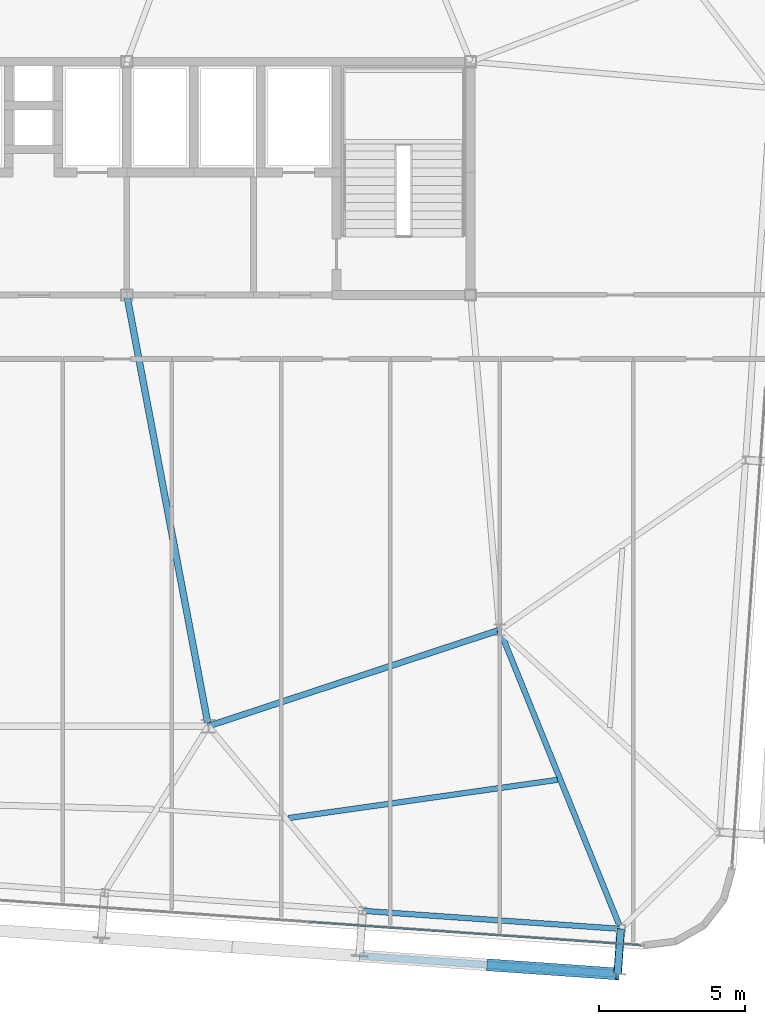
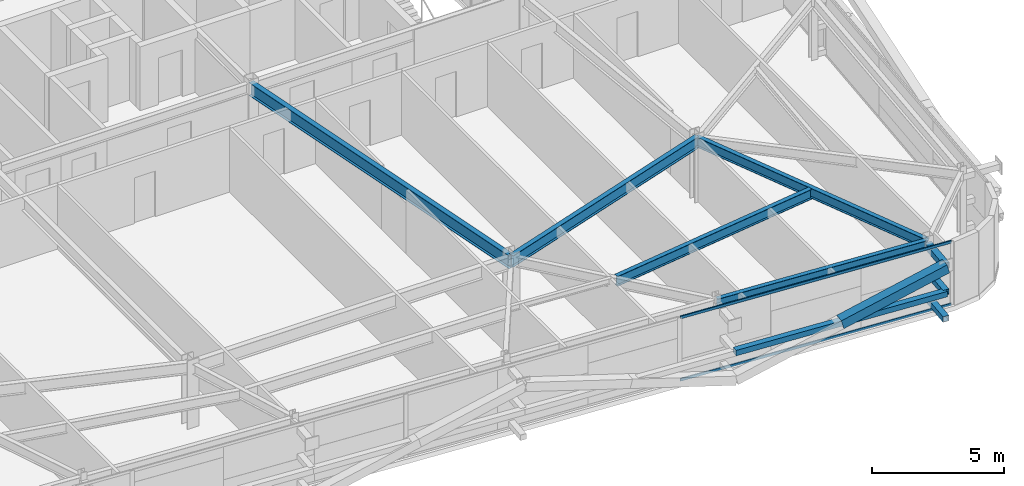
# One storey, part 14 of 39: 7 members, 5 beams, 1 element without a shape of its own.
"""IFC4 building model written with IfcOpenShell, lengths in metres."""

from ifc_helpers import new_model, si_unit, direction, frame, origin, origin_2d, place, context, subcontext, project, spatial, hollow_rectangle, i_section, extrude, source, transform, mapped, material, layer, layer_set, material_profile, profile_set, type_object, element, aggregate, save


model = new_model("IFC4")

# Units and contexts
model_context = context("Model", 3, precision=1e-05, world=origin(), true_north=direction((0.0, 1.0)))
body_context = subcontext(model_context, "Body", "Model", "MODEL_VIEW")
ifc_project = project(units=[si_unit("LENGTHUNIT", "METRE"), si_unit("AREAUNIT", "SQUARE_METRE"), si_unit("VOLUMEUNIT", "CUBIC_METRE"), si_unit("PLANEANGLEUNIT", "RADIAN"), si_unit("MASSUNIT", "GRAM", prefix="KILO")], contexts=[model_context])

# Site, building, storey
site_placement = place(None, origin())
site = spatial("IfcSite", under=ifc_project, at=site_placement, CompositionType="ELEMENT")
building_placement = place(site_placement, origin())
building = spatial("IfcBuilding", under=site, at=building_placement, Name="Taldren Reach Tower", CompositionType="ELEMENT")
storey_placement = place(building_placement, frame((0.0, 0.0, 133.0)))
storey = spatial("IfcBuildingStorey", under=building, at=storey_placement, Name="L40", CompositionType="ELEMENT", Elevation=133.0)

# Beams
ifc_material_1 = material(Name="Steel Gr 350 (350PLUS)", Category="steel")
ifc_material_profile_1 = material_profile(ifc_material_1, i_section(OverallWidth=0.208984375, OverallDepth=0.532958984375, WebThickness=0.01025390625, FlangeThickness=0.015625, at=origin_2d()), Name="530UB92.4")
ifc_profile_set_1 = profile_set([ifc_material_profile_1], Name="Steel Gr 350 (350PLUS)")
beam_type_1 = type_object("IfcBeamType", Name="BM-UB530A", PredefinedType="BEAM", material=ifc_profile_set_1)
shared_shape_1 = source(origin(), body_context, "Body", "SweptSolid", [
    extrude(i_section(OverallWidth=0.208984375, OverallDepth=0.532958984375, WebThickness=0.01025390625, FlangeThickness=0.015625, at=origin_2d()), origin(), (0.0, 0.0, 1.0), 10.530517578125),
])
beam_1_placement = place(storey_placement, frame((42.0, 9.199951171875, 2.66357421875), z_axis=(0.949627269203, 0.313381635689, 0.0), x_axis=(-0.313381635689, 0.949627269203, 0.0)))
element("IfcBeam", 1, at=beam_1_placement, inside=storey, type_object=beam_type_1, Name="Core-spine girder L40-SP12", PredefinedType="BEAM", context=body_context, shape_type="MappedRepresentation", body=[
    mapped(shared_shape_1, transform((0.0, 0.0, 0.0), scale=1.0)),
])
ifc_material_profile_2 = material_profile(ifc_material_1, i_section(OverallWidth=0.22802734375, OverallDepth=0.60205078125, WebThickness=0.010498046875, FlangeThickness=0.014892578125, at=origin_2d()), Name="610UB101")
ifc_profile_set_2 = profile_set([ifc_material_profile_2], Name="Steel Gr 350 (350PLUS)")
beam_type_2 = type_object("IfcBeamType", Name="BM-UB610B", PredefinedType="BEAM", material=ifc_profile_set_2)
shared_shape_2 = source(origin(), body_context, "Body", "SweptSolid", [
    extrude(i_section(OverallWidth=0.22802734375, OverallDepth=0.60205078125, WebThickness=0.010498046875, FlangeThickness=0.014892578125, at=origin_2d()), origin(), (0.0, 0.0, 1.0), 15.0625),
])
beam_2_placement = place(storey_placement, frame((39.199951171875, 24.0, 2.62890625), z_axis=(0.185894205668, -0.982569765614, 0.0), x_axis=(0.982569765614, 0.185894205668, 0.0)))
element("IfcBeam", 2, at=beam_2_placement, inside=storey, type_object=beam_type_2, Name="Core-spine girder L40-SP15", PredefinedType="BEAM", context=body_context, shape_type="MappedRepresentation", body=[
    mapped(shared_shape_2, transform((0.0, 0.0, 0.0), scale=1.0)),
])

# Members
ifc_material_2 = material(Name="Steel Gr 450 (C450L0)", Category="steel")
ifc_material_profile_3 = material_profile(ifc_material_2, hollow_rectangle(XDim=0.27490234375, YDim=0.27490234375, WallThickness=0.00927734375, at=origin_2d()), Name="275x275x9.3SHS")
ifc_profile_set_3 = profile_set([ifc_material_profile_3], Name="Steel Gr 450 (C450L0)")
member_type_1 = type_object("IfcMemberType", Name="MB-TIE273", PredefinedType="STRUT", material=ifc_profile_set_3)
shared_shape_3 = source(origin(), body_context, "Body", "SweptSolid", [
    extrude(hollow_rectangle(XDim=0.27490234375, YDim=0.27490234375, WallThickness=0.00927734375, at=origin_2d()), origin(), (0.0, 0.0, 1.0), 1.5498046875),
])
member_1_placement = place(storey_placement, frame((56.155517578125, 2.2412109375, 2.64990234375), z_axis=(-0.069780535098, -0.997562367434, 0.0), x_axis=(0.997562367434, -0.069780535098, 0.0)))
element("IfcMember", 3, at=member_1_placement, inside=storey, type_object=member_type_1, Name="Exoskeleton diaphragm tie strut B3-S6 L40", PredefinedType="STRUT", context=body_context, shape_type="MappedRepresentation", body=[
    mapped(shared_shape_3, transform((0.0, 0.0, 0.0), scale=1.0)),
])
ifc_material_3 = material(Name="Steel Gr 350 (C350L0)", Category="steel")
ifc_material_profile_4 = material_profile(ifc_material_3, hollow_rectangle(XDim=0.25, YDim=0.25, WallThickness=0.010009765625, at=origin_2d()), Name="250x250x10.0SHS")
ifc_profile_set_4 = profile_set([ifc_material_profile_4], Name="Steel Gr 350 (C350L0)")
member_type_2 = type_object("IfcMemberType", Name="MB-POST250", PredefinedType="POST", material=ifc_profile_set_4)
shared_shape_4 = source(origin(), body_context, "Body", "SweptSolid", [
    extrude(hollow_rectangle(XDim=0.25, YDim=0.25, WallThickness=0.010009765625, at=origin_2d()), origin(), (0.0, 0.0, 1.0), 1.5498046875),
])
for number, where, z_axis, x_axis, name in (
    (4, (56.155517578125, 2.2412109375, 0.219970703125), (-0.069780535098, -0.997562367434, 0.0), (0.997562367434, -0.069780535098, 0.0), "Exoskeleton base diaphragm tie strut B3-S6 L40"),
    (5, (56.155517578125, 2.2412109375, 1.43505859375), (-0.069780535098, -0.997562367434, 0.0), (0.997562367434, -0.069780535098, 0.0), "Exoskeleton mid-tier diaphragm tie B3-S6 L40"),
):
    element("IfcMember", number, at=place(storey_placement, frame(where, z_axis=z_axis, x_axis=x_axis)), inside=storey, type_object=member_type_2, Name=name, PredefinedType="POST", context=body_context, shape_type="MappedRepresentation", body=[
        mapped(shared_shape_4, transform((0.0, 0.0, 0.0), scale=1.0)),
    ])

# Beams
ifc_material_profile_5 = material_profile(ifc_material_1, i_section(OverallWidth=0.18994140625, OverallDepth=0.4541015625, WebThickness=0.008544921875, FlangeThickness=0.0126953125, at=origin_2d()), Name="460UB67.1")
ifc_profile_set_5 = profile_set([ifc_material_profile_5], Name="Steel Gr 350 (350PLUS)")
beam_type_3 = type_object("IfcBeamType", Name="SP-UB460B", PredefinedType="SPANDREL", material=ifc_profile_set_5)
shared_shape_5 = source(origin(), body_context, "Body", "SweptSolid", [
    extrude(i_section(OverallWidth=0.18994140625, OverallDepth=0.4541015625, WebThickness=0.008544921875, FlangeThickness=0.0126953125, at=origin_2d()), origin(), (0.0, 0.0, 1.0), 8.880126953125),
])
beam_3_placement = place(storey_placement, frame((47.297119140625, 2.860595703125, 2.702880859375), z_axis=(0.997564479639, -0.069750333063, 0.0), x_axis=(0.069750333063, 0.997564479639, 0.0)))
element("IfcBeam", 6, at=beam_3_placement, inside=storey, type_object=beam_type_3, Name="Perimeter spandrel B3 S5-S6 L40", PredefinedType="SPANDREL", context=body_context, shape_type="MappedRepresentation", body=[
    mapped(shared_shape_5, transform((0.0, 0.0, 0.0), scale=1.0)),
])
ifc_material_profile_6 = material_profile(ifc_material_1, i_section(OverallWidth=0.19091796875, OverallDepth=0.4599609375, WebThickness=0.010009765625, FlangeThickness=0.01611328125, at=origin_2d()), Name="460UB82.1")
ifc_profile_set_6 = profile_set([ifc_material_profile_6], Name="Steel Gr 350 (350PLUS)")
beam_type_4 = type_object("IfcBeamType", Name="BM-UB460A", PredefinedType="BEAM", material=ifc_profile_set_6)
shared_shape_6 = source(origin(), body_context, "Body", "SweptSolid", [
    extrude(i_section(OverallWidth=0.19091796875, OverallDepth=0.4599609375, WebThickness=0.010009765625, FlangeThickness=0.01611328125, at=origin_2d()), origin(), (0.0, 0.0, 1.0), 11.068359375),
])
beam_4_placement = place(storey_placement, frame((52.0, 12.5, 2.699951171875), z_axis=(0.375437319636, -0.92684778633, 0.0), x_axis=(0.92684778633, 0.375437319636, 0.0)))
element("IfcBeam", 7, at=beam_4_placement, inside=storey, type_object=beam_type_4, Name="Primary floor girder B3-S6 L40", PredefinedType="BEAM", context=body_context, shape_type="MappedRepresentation", body=[
    mapped(shared_shape_6, transform((0.0, 0.0, 0.0), scale=1.0)),
])
shared_shape_7 = source(origin(), body_context, "Body", "SweptSolid", [
    extrude(i_section(OverallWidth=0.19091796875, OverallDepth=0.4599609375, WebThickness=0.010009765625, FlangeThickness=0.01611328125, at=origin_2d()), origin(), (0.0, 0.0, 1.0), 9.313232421875),
])
beam_5_placement = place(storey_placement, frame((44.759765625, 6.046142578125, 2.699951171875), z_axis=(0.990049385514, 0.140720340547, 0.0), x_axis=(-0.140720340547, 0.990049385514, 0.0)))
element("IfcBeam", 8, at=beam_5_placement, inside=storey, type_object=beam_type_4, Name="Secondary floor beam B3 J5 L40", PredefinedType="BEAM", context=body_context, shape_type="MappedRepresentation", body=[
    mapped(shared_shape_7, transform((0.0, 0.0, 0.0), scale=1.0)),
])

# Members
shared_shape_8 = source(origin(), body_context, "Body", "SweptSolid", [
    extrude(hollow_rectangle(XDim=0.25, YDim=0.25, WallThickness=0.010009765625, at=origin_2d()), origin(), (0.0, 0.0, 1.0), 8.880126953125),
])
member_2_placement = place(storey_placement, frame((47.18896484375, 1.314453125, 1.43505859375), z_axis=(0.997564479639, -0.069750333063, 0.0), x_axis=(0.069750333063, 0.997564479639, 0.0)))
element("IfcMember", 9, at=member_2_placement, inside=storey, type_object=member_type_2, Name="Exoskeleton mid-height ring chord B3-S5 L40", PredefinedType="POST", context=body_context, shape_type="MappedRepresentation", body=[
    mapped(shared_shape_8, transform((0.0, 0.0, 0.0), scale=1.0)),
])
ifc_material_profile_7 = material_profile(ifc_material_2, hollow_rectangle(XDim=0.409912109375, YDim=0.409912109375, WallThickness=0.01611328125, at=origin_2d()), Name="410x410x16.0SHS")
ifc_profile_set_7 = profile_set([ifc_material_profile_7], Name="Steel Gr 450 (C450L0)")
member_type_3 = type_object("IfcMemberType", Name="MB-EXO406", PredefinedType="BRACE", material=ifc_profile_set_7)
shared_shape_9 = source(origin(), body_context, "Body", "SweptSolid", [
    extrude(hollow_rectangle(XDim=0.409912109375, YDim=0.409912109375, WallThickness=0.01611328125, at=origin_2d()), origin(), (0.0, 0.0, 1.0), 4.603271484375),
])
member_3_placement = place(storey_placement, frame((51.6181640625, 1.004638671875, 1.43505859375), z_axis=(0.962199253371, -0.067251055742, 0.263912660389), x_axis=(0.069722973508, 0.997566392259, 0.0)))
element("IfcMember", 10, at=member_3_placement, inside=storey, type_object=member_type_3, Name="Exoskeleton Diagrid Brace B3-S5 L40", PredefinedType="BRACE", context=body_context, shape_type="MappedRepresentation", body=[
    mapped(shared_shape_9, transform((0.0, 0.0, 0.0), scale=1.0)),
])

# Curtain wall, members
ifc_material_4 = material(Name="Aluminium and Low-E Glass Unitised System", Category="aluminium")
ifc_layer = layer(ifc_material_4, 0.159912109375)
ifc_layer_set = layer_set([ifc_layer], Name="Aluminium and Low-E Glass Unitised System")
curtain_wall_type = type_object("IfcCurtainWallType", Name="CW-SYS-4", PredefinedType="NOTDEFINED", material=ifc_layer_set)
curtain_wall_placement = place(storey_placement, origin())
curtain_wall = element("IfcCurtainWall", 11, at=curtain_wall_placement, inside=storey, type_object=curtain_wall_type, Name="Unitised curtain wall CW-L40-S", PredefinedType="NOTDEFINED")
ifc_material_5 = material(Name="Anodised Aluminium 6063-T6", Category="aluminium")
ifc_material_profile_8 = material_profile(ifc_material_5, hollow_rectangle(XDim=0.054931640625, YDim=0.1201171875, WallThickness=0.0029296875, at=origin_2d()), Name="ALU-120x55x3RHS")
ifc_profile_set_8 = profile_set([ifc_material_profile_8], Name="Anodised Aluminium 6063-T6")
member_type_4 = type_object("IfcMemberType", Name="CW-TRN-135", PredefinedType="USERDEFINED", material=ifc_profile_set_8)
shared_shape_10 = source(origin(), body_context, "Body", "SweptSolid", [
    extrude(hollow_rectangle(XDim=0.054931640625, YDim=0.1201171875, WallThickness=0.0029296875, at=origin_2d()), origin(), (0.0, 0.0, 1.0), 11.395263671875),
])
member_4_placement = place(storey_placement, frame((45.480712890625, 2.476318359375, 0.027587890625), z_axis=(0.997565335668, -0.069738089122, 0.0), x_axis=(0.069738089122, 0.997565335668, 0.0)))
member_4 = element("IfcMember", 12, at=member_4_placement, type_object=member_type_4, Name="CW-4 transom 4.1", ObjectType="TRANSOM", PredefinedType="USERDEFINED", context=body_context, shape_type="MappedRepresentation", body=[
    mapped(shared_shape_10, transform((0.0, 0.0, 0.0), scale=1.0)),
])
member_5_placement = place(storey_placement, frame((45.480712890625, 2.476318359375, 2.902587890625), z_axis=(0.997565335668, -0.069738089122, 0.0), x_axis=(0.069738089122, 0.997565335668, 0.0)))
member_5 = element("IfcMember", 13, at=member_5_placement, type_object=member_type_4, Name="CW-4 transom 4.2", ObjectType="TRANSOM", PredefinedType="USERDEFINED", context=body_context, shape_type="MappedRepresentation", body=[
    mapped(shared_shape_10, transform((0.0, 0.0, 0.0), scale=1.0)),
])
aggregate(curtain_wall, [member_4, member_5])

save(model, "model.ifc")
